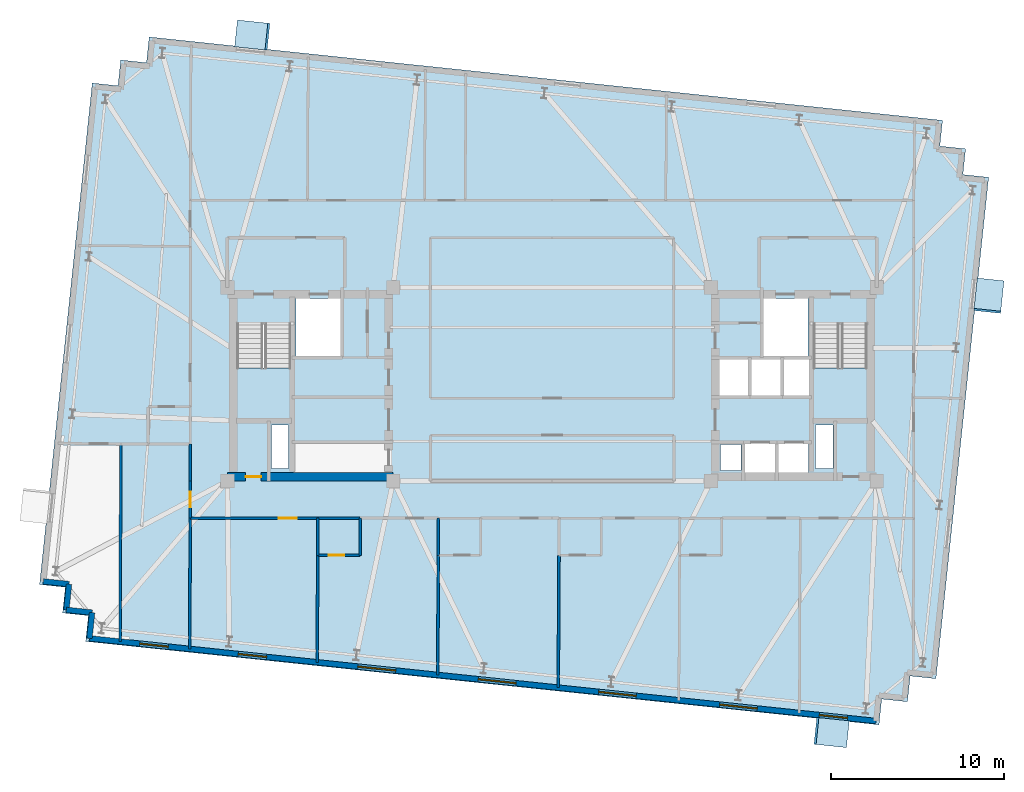
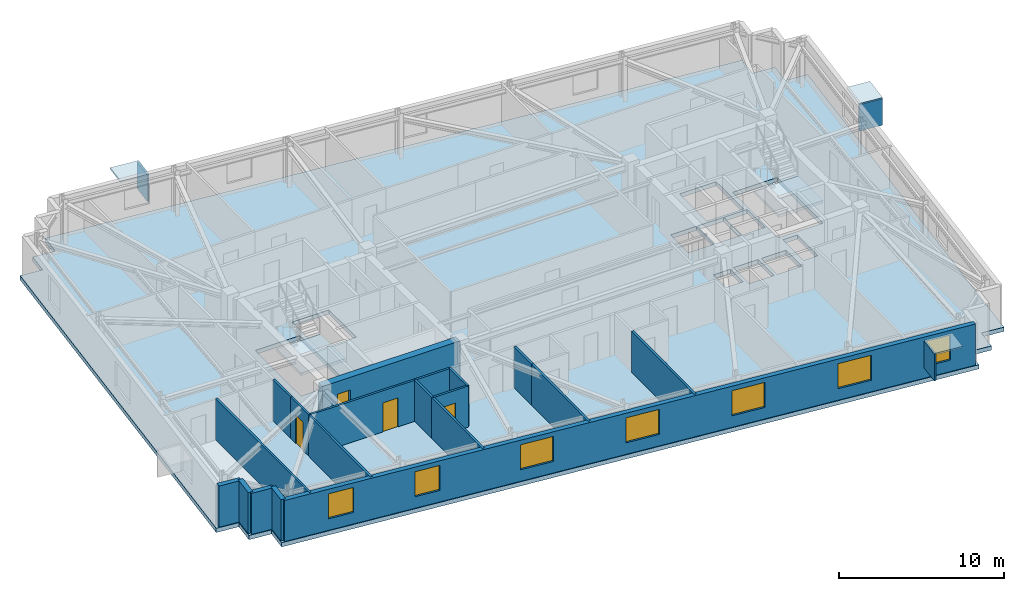
# One storey, part 5 of 11: 19 walls, 7 windows, 6 plates, 4 doors, 3 slabs, 11 openings, 2 elements without a shape of their own.
"""IFC4 building model written with IfcOpenShell, lengths in metres."""

from ifc_helpers import new_model, si_unit, direction, frame, frame_2d, origin, origin_2d, place, context, subcontext, project, spatial, polyline, rectangle, outline, extrude, material, layer, layer_set, type_object, element, fill, aggregate, save


model = new_model("IFC4")

# Units and contexts
model_context = context("Model", 3, precision=1e-05, world=origin(), true_north=direction((0.0, 1.0)))
body_context = subcontext(model_context, "Body", "Model", "MODEL_VIEW")
ifc_project = project(units=[si_unit("LENGTHUNIT", "METRE"), si_unit("AREAUNIT", "SQUARE_METRE"), si_unit("VOLUMEUNIT", "CUBIC_METRE"), si_unit("PLANEANGLEUNIT", "RADIAN"), si_unit("MASSUNIT", "GRAM", prefix="KILO")], contexts=[model_context])

# Site, building, storey
site_placement = place(None, origin())
site = spatial("IfcSite", under=ifc_project, at=site_placement, CompositionType="ELEMENT")
building_placement = place(site_placement, origin())
building = spatial("IfcBuilding", under=site, at=building_placement, Name="Qobustan Lattice House", CompositionType="ELEMENT")
storey_placement = place(building_placement, frame((0.0, 0.0, 213.14990234375)))
storey = spatial("IfcBuildingStorey", under=building, at=storey_placement, Name="L60", CompositionType="ELEMENT", Elevation=213.14990234375)

# Plates
ifc_material_1 = material(Name="Qobustan limestone GFRC", Category="masonry")
ifc_layer_1 = layer(ifc_material_1, 0.1201171875)
ifc_layer_set_1 = layer_set([ifc_layer_1], Name="Qobustan limestone GFRC")
plate_type = type_object("IfcPlateType", Name="SHD-HOOD-BROW", PredefinedType="USERDEFINED", material=ifc_layer_set_1)
plate_1_placement = place(storey_placement, frame((-17.364990234375, 20.224853515625, 2.699951171875), z_axis=(0.0, 0.0, 1.0), x_axis=(0.994521895368, -0.104528463268, 0.0)))
element("IfcPlate", 1, at=plate_1_placement, inside=storey, type_object=plate_type, Name="L60 splayed Qobustan stone hood brow", ObjectType="SUNSHADE", PredefinedType="USERDEFINED", context=body_context, shape_type="SweptSolid", body=[
    extrude(rectangle(XDim=1.889892578125, YDim=1.56005859375, at=origin_2d()), origin(), (0.0, 0.0, 1.0), 0.1201171875),
])
plate_2_placement = place(storey_placement, frame((-16.48486328125, 20.13232421875, 0.7900390625), z_axis=(0.0, 0.0, 1.0), x_axis=(0.994521895368, -0.104528463268, 0.0)))
element("IfcPlate", 2, at=plate_2_placement, inside=storey, type_object=plate_type, Name="L60 splayed Qobustan stone hood cheek", ObjectType="SUNSHADE", PredefinedType="USERDEFINED", context=body_context, shape_type="SweptSolid", body=[
    extrude(rectangle(XDim=0.1201171875, YDim=1.56005859375, at=origin_2d()), origin(), (0.0, 0.0, 1.0), 1.969970703125),
])
plate_3_placement = place(storey_placement, frame((25.29638671875, 5.134521484375, 2.699951171875), z_axis=(0.0, 0.0, 1.0), x_axis=(-0.104528463268, -0.994521895368, 0.0)))
element("IfcPlate", 3, at=plate_3_placement, inside=storey, type_object=plate_type, Name="L60 splayed Qobustan stone hood brow", ObjectType="SUNSHADE", PredefinedType="USERDEFINED", context=body_context, shape_type="SweptSolid", body=[
    extrude(rectangle(XDim=1.889892578125, YDim=1.56005859375, at=origin_2d()), origin(), (0.0, 0.0, 1.0), 0.1201171875),
])
plate_4_placement = place(storey_placement, frame((25.203857421875, 4.25439453125, 0.7900390625), z_axis=(0.0, 0.0, 1.0), x_axis=(-0.104528463268, -0.994521895368, 0.0)))
element("IfcPlate", 4, at=plate_4_placement, inside=storey, type_object=plate_type, Name="L60 splayed Qobustan stone hood cheek", ObjectType="SUNSHADE", PredefinedType="USERDEFINED", context=body_context, shape_type="SweptSolid", body=[
    extrude(rectangle(XDim=0.1201171875, YDim=1.56005859375, at=origin_2d()), origin(), (0.0, 0.0, 1.0), 1.969970703125),
])
plate_5_placement = place(storey_placement, frame((16.18994140625, -20.163818359375, 2.699951171875), z_axis=(0.0, 0.0, 1.0), x_axis=(-0.994521895368, 0.104528463268, 0.0)))
element("IfcPlate", 5, at=plate_5_placement, inside=storey, type_object=plate_type, Name="L60 splayed Qobustan stone hood brow", ObjectType="SUNSHADE", PredefinedType="USERDEFINED", context=body_context, shape_type="SweptSolid", body=[
    extrude(rectangle(XDim=1.889892578125, YDim=1.56005859375, at=origin_2d()), origin(), (0.0, 0.0, 1.0), 0.1201171875),
])
plate_6_placement = place(storey_placement, frame((15.309814453125, -20.0712890625, 0.7900390625), z_axis=(0.0, 0.0, 1.0), x_axis=(-0.994521895368, 0.104528463268, 0.0)))
element("IfcPlate", 6, at=plate_6_placement, inside=storey, type_object=plate_type, Name="L60 splayed Qobustan stone hood cheek", ObjectType="SUNSHADE", PredefinedType="USERDEFINED", context=body_context, shape_type="SweptSolid", body=[
    extrude(rectangle(XDim=0.1201171875, YDim=1.56005859375, at=origin_2d()), origin(), (0.0, 0.0, 1.0), 1.969970703125),
])

# Slab
ifc_material_2 = material(Name="Concrete C40/50", Category="concrete")
ifc_layer_2 = layer(ifc_material_2, 0.31005859375)
ifc_layer_set_2 = layer_set([ifc_layer_2], Name="Concrete C40/50")
slab_type_1 = type_object("IfcSlabType", Name="SLB-FLR-310", PredefinedType="FLOOR", material=ifc_layer_set_2)
slab_1_placement = place(storey_placement, frame((0.0, 0.0, -0.309814453125)))
element("IfcSlab", 7, at=slab_1_placement, inside=storey, type_object=slab_type_1, Name="L60 structural floor slab", PredefinedType="FLOOR", context=body_context, shape_type="SweptSolid", body=[
    extrude(outline(polyline([(-27.01318359375, -14.888916015625), (18.933837890625, -19.71826171875), (19.090576171875, -18.226318359375), (20.582275390625, -18.38330078125), (20.739013671875, -16.891357421875), (22.23095703125, -17.048095703125), (25.283203125, 11.99169921875), (23.79150390625, 12.148681640625), (23.947998046875, 13.640380859375), (22.456298828125, 13.797119140625), (22.61328125, 15.2890625), (-23.333740234375, 20.1181640625), (-23.490478515625, 18.62646484375), (-24.982421875, 18.783203125), (-25.13916015625, 17.29150390625), (-26.630859375, 17.4482421875), (-29.68310546875, -11.591796875), (-28.19140625, -11.74853515625), (-28.34814453125, -13.240478515625), (-26.8564453125, -13.397216796875), (-27.01318359375, -14.888916015625)]), holes=[polyline([(-18.25, -2.050048828125), (-18.25, 3.489990234375), (-15.1298828125, 3.489990234375), (-15.1298828125, -2.050048828125), (-18.25, -2.050048828125)]), polyline([(15.1298828125, -2.050048828125), (15.1298828125, 3.489990234375), (18.25, 3.489990234375), (18.25, -2.050048828125), (15.1298828125, -2.050048828125)]), polyline([(-14.820068359375, 1.64990234375), (-14.820068359375, 4.9599609375), (-12.25, 4.9599609375), (-12.25, 1.64990234375), (-14.820068359375, 1.64990234375)]), polyline([(12.25, 1.64990234375), (12.25, 4.9599609375), (14.820068359375, 4.9599609375), (14.820068359375, 1.64990234375), (12.25, 1.64990234375)]), polyline([(-16.260009765625, -4.8798828125), (-16.260009765625, -2.360107421875), (-15.260009765625, -2.360107421875), (-15.260009765625, -4.8798828125), (-16.260009765625, -4.8798828125)]), polyline([(15.260009765625, -4.8798828125), (15.260009765625, -2.360107421875), (16.260009765625, -2.360107421875), (16.260009765625, -4.8798828125), (15.260009765625, -4.8798828125)]), polyline([(11.179931640625, -5.35009765625), (11.179931640625, -3.419921875), (12.919921875, -3.419921875), (12.919921875, -5.35009765625), (11.179931640625, -5.35009765625)]), polyline([(13.1201171875, -5.35009765625), (13.1201171875, -3.419921875), (14.85009765625, -3.419921875), (14.85009765625, -5.35009765625), (13.1201171875, -5.35009765625)]), polyline([(9.760009765625, -5.0), (9.760009765625, -3.47998046875), (10.93994140625, -3.47998046875), (10.93994140625, -5.0), (9.760009765625, -5.0)]), polyline([(13.360107421875, -0.679931640625), (13.360107421875, 1.47998046875), (14.97998046875, 1.47998046875), (14.97998046875, -0.679931640625), (13.360107421875, -0.679931640625)]), polyline([(9.6201171875, -0.679931640625), (9.6201171875, 1.47998046875), (11.43994140625, 1.47998046875), (11.43994140625, -0.679931640625), (9.6201171875, -0.679931640625)]), polyline([(11.5, -0.679931640625), (11.5, 1.47998046875), (13.320068359375, 1.47998046875), (13.320068359375, -0.679931640625), (11.5, -0.679931640625)])]), origin(), (0.0, 0.0, 1.0), 0.309814453125),
])

# Stair, slab
ifc_material_3 = material(Name="Concrete C40/50", Category="concrete")
stair_type = type_object("IfcStairType", Name="STR-CORE-DOGLEG", PredefinedType="HALF_TURN_STAIR", material=ifc_material_3)
stair_1_placement = place(storey_placement, origin())
stair_1 = element("IfcStair", 8, at=stair_1_placement, inside=storey, type_object=stair_type, Name="L60 West protected exit stair ST-W1", PredefinedType="HALF_TURN_STAIR")
ifc_material_4 = material(Name="Concrete C40/50", Category="concrete")
ifc_layer_3 = layer(ifc_material_4, 0.199951171875)
ifc_layer_set_3 = layer_set([ifc_layer_3], Name="Concrete C40/50")
slab_type_2 = type_object("IfcSlabType", Name="SLB-LANDING-200", PredefinedType="LANDING", material=ifc_layer_set_3)
slab_2_placement = place(storey_placement, frame((0.0, 0.0, 1.47509765625)))
slab_2 = element("IfcSlab", 9, at=slab_2_placement, type_object=slab_type_2, Name="ST-W1 landing 1", PredefinedType="LANDING", context=body_context, shape_type="SweptSolid", body=[
    extrude(outline(polyline([(-18.25, 0.93505859375), (-18.25, -2.050048828125), (-15.1298828125, -2.050048828125), (-15.1298828125, 0.93505859375), (-18.25, 0.93505859375)])), origin(), (0.0, 0.0, 1.0), 0.199951171875),
])
aggregate(stair_1, [slab_2])

stair_2_placement = place(storey_placement, origin())
stair_2 = element("IfcStair", 10, at=stair_2_placement, inside=storey, type_object=stair_type, Name="L60 East protected exit stair ST-E1", PredefinedType="HALF_TURN_STAIR")
slab_3_placement = place(storey_placement, frame((0.0, 0.0, 1.47509765625)))
slab_3 = element("IfcSlab", 11, at=slab_3_placement, type_object=slab_type_2, Name="ST-E1 landing 1", PredefinedType="LANDING", context=body_context, shape_type="SweptSolid", body=[
    extrude(outline(polyline([(15.1298828125, 0.93505859375), (15.1298828125, -2.050048828125), (18.25, -2.050048828125), (18.25, 0.93505859375), (15.1298828125, 0.93505859375)])), origin(), (0.0, 0.0, 1.0), 0.199951171875),
])
aggregate(stair_2, [slab_3])

# Wall, opening, door
ifc_material_5 = material(Name="Concrete C50/60", Category="concrete")
ifc_layer_4 = layer(ifc_material_5, 0.5)
ifc_layer_set_4 = layer_set([ifc_layer_4], Name="Concrete C50/60")
wall_type_1 = type_object("IfcWallType", Name="WAL-CORE-500", PredefinedType="SHEAR", material=ifc_layer_set_4)
wall_1_placement = place(storey_placement, frame((-18.800048828125, -5.35009765625, 0.0), z_axis=(0.0, 0.0, 1.0), x_axis=(1.0, 0.0, 0.0)))
wall_1 = element("IfcWall", 12, at=wall_1_placement, inside=storey, type_object=wall_type_1, Name="L60 split-core shear wall CW-S", PredefinedType="SHEAR", context=body_context, shape_type="SweptSolid", body=[
    extrude(rectangle(XDim=9.60009765625, YDim=0.5, at=frame_2d((4.800048828125, 0.0))), origin(), (0.0, 0.0, 1.0), 3.0400390625),
])
opening_1_placement = place(wall_1_placement, frame((1.050048828125, 0.0, 0.0)))
opening_1 = element("IfcOpeningElement", 13, at=opening_1_placement, cuts=wall_1, Name="Opening RD-01", PredefinedType="OPENING", context=body_context, shape_type="SweptSolid", body=[
    extrude(rectangle(XDim=0.89990234375, YDim=2.10009765625, at=frame_2d((0.449951171875, 1.050048828125))), frame((0.0, 0.260009765625, 0.0), z_axis=(0.0, -1.0, 0.0), x_axis=(1.0, 0.0, 0.0)), (0.0, 0.0, 1.0), 0.52001953125),
])
ifc_material_6 = material(Name="Persian walnut timber and steel frame door", Category="steel")
door_type_1 = type_object("IfcDoorType", Name="DOR-RISER-FD-900x2100", OperationType="NOTDEFINED", PredefinedType="DOOR", material=ifc_material_6)
door_1_placement = place(opening_1_placement, origin())
door_1 = element("IfcDoor", 14, at=door_1_placement, inside=storey, type_object=door_type_1, Name="L60 core service riser access door W", OperationType="SINGLE_SWING_RIGHT", OverallHeight=2.10009765625, OverallWidth=0.89990234375, PredefinedType="DOOR", context=body_context, shape_type="SweptSolid", body=[
    extrude(rectangle(XDim=0.89990234375, YDim=2.10009765625, at=frame_2d((0.449951171875, 1.050048828125))), frame((0.0, 0.02490234375, 0.0), z_axis=(0.0, -1.0, 0.0), x_axis=(1.0, 0.0, 0.0)), (0.0, 0.0, 1.0), 0.050048828125),
])
fill(opening_1, door_1)

# Walls
ifc_material_7 = material(Name="Precast concrete C40/50", Category="concrete")
ifc_layer_5 = layer(ifc_material_7, 0.320068359375)
ifc_layer_set_5 = layer_set([ifc_layer_5], Name="Precast concrete C40/50")
wall_type_2 = type_object("IfcWallType", Name="WAL-EXT-STONE-320", PredefinedType="SOLIDWALL", material=ifc_layer_set_5)
for number, where, z_axis, x_axis, name in (
    (15, (-26.79345703125, -14.7109375, 0.0), (0.0, 0.0, 1.0), (0.104498377516, 0.994525057048, 0.0), "L60 exterior limestone-clad wall 1"),
    (16, (-26.63671875, -13.21923828125, 0.0), (0.0, 0.0, 1.0), (-0.994525057048, 0.104498377516, 0.0), "L60 exterior limestone-clad wall 2"),
):
    element("IfcWall", number, at=place(storey_placement, frame(where, z_axis=z_axis, x_axis=x_axis)), inside=storey, type_object=wall_type_2, Name=name, PredefinedType="SOLIDWALL", context=body_context, shape_type="SweptSolid", body=[
        extrude(rectangle(XDim=1.5, YDim=0.320068359375, at=frame_2d((0.75, 0.0))), origin(), (0.0, 0.0, 1.0), 3.0400390625),
    ])
wall_2_placement = place(storey_placement, frame((-28.12841796875, -13.0625, 0.0), z_axis=(0.0, 0.0, 1.0), x_axis=(0.104481464157, 0.994526834051, 0.0)))
element("IfcWall", 17, at=wall_2_placement, inside=storey, type_object=wall_type_2, Name="L60 exterior limestone-clad wall 3", PredefinedType="SOLIDWALL", context=body_context, shape_type="SweptSolid", body=[
    extrude(rectangle(XDim=1.500244140625, YDim=0.320068359375, at=frame_2d((0.75, 0.0))), origin(), (0.0, 0.0, 1.0), 3.0400390625),
])
wall_3_placement = place(storey_placement, frame((-27.9716796875, -11.570556640625, 0.0), z_axis=(0.0, 0.0, 1.0), x_axis=(-0.994525057048, 0.104498377516, 0.0)))
element("IfcWall", 18, at=wall_3_placement, inside=storey, type_object=wall_type_2, Name="L60 exterior limestone-clad wall 4", PredefinedType="SOLIDWALL", context=body_context, shape_type="SweptSolid", body=[
    extrude(rectangle(XDim=1.5, YDim=0.320068359375, at=frame_2d((0.75, 0.0))), origin(), (0.0, 0.0, 1.0), 3.0400390625),
])

# Wall, openings, windows
wall_4_placement = place(storey_placement, frame((18.755859375, -19.498291015625, 0.0), z_axis=(0.0, 0.0, 1.0), x_axis=(-0.994522060044, 0.104526896475, 0.0)))
wall_4 = element("IfcWall", 19, at=wall_4_placement, inside=storey, type_object=wall_type_2, Name="L60 exterior limestone-clad wall 20", PredefinedType="SOLIDWALL", context=body_context, shape_type="SweptSolid", body=[
    extrude(rectangle(XDim=45.80029296875, YDim=0.320068359375, at=frame_2d((22.900146484375, 0.0))), origin(), (0.0, 0.0, 1.0), 3.0400390625),
])
opening_2_placement = place(wall_4_placement, frame((1.6572265625, 0.0, 0.85009765625)))
opening_2 = element("IfcOpeningElement", 20, at=opening_2_placement, cuts=wall_4, Name="Opening WN-09", PredefinedType="OPENING", context=body_context, shape_type="SweptSolid", body=[
    extrude(rectangle(XDim=1.64990234375, YDim=1.85009765625, at=frame_2d((0.824951171875, 0.925048828125))), frame((0.0, 0.169921875, 0.0), z_axis=(0.0, -1.0, 0.0), x_axis=(1.0, 0.0, 0.0)), (0.0, 0.0, 1.0), 0.340087890625),
])
opening_3_placement = place(wall_4_placement, frame((6.906982421875, 0.0, 0.85009765625)))
opening_3 = element("IfcOpeningElement", 21, at=opening_3_placement, cuts=wall_4, Name="Opening WN-03", PredefinedType="OPENING", context=body_context, shape_type="SweptSolid", body=[
    extrude(rectangle(XDim=2.199951171875, YDim=1.85009765625, at=frame_2d((1.10009765625, 0.925048828125))), frame((0.0, 0.169921875, 0.0), z_axis=(0.0, -1.0, 0.0), x_axis=(1.0, 0.0, 0.0)), (0.0, 0.0, 1.0), 0.340087890625),
])
opening_4_placement = place(wall_4_placement, frame((13.953125, 0.0, 0.85009765625)))
opening_4 = element("IfcOpeningElement", 22, at=opening_4_placement, cuts=wall_4, Name="Opening WN-03", PredefinedType="OPENING", context=body_context, shape_type="SweptSolid", body=[
    extrude(rectangle(XDim=2.199951171875, YDim=1.85009765625, at=frame_2d((1.10009765625, 0.925048828125))), frame((0.0, 0.169921875, 0.0), z_axis=(0.0, -1.0, 0.0), x_axis=(1.0, 0.0, 0.0)), (0.0, 0.0, 1.0), 0.340087890625),
])
opening_5_placement = place(wall_4_placement, frame((20.959228515625, 0.0, 0.85009765625)))
opening_5 = element("IfcOpeningElement", 23, at=opening_5_placement, cuts=wall_4, Name="Opening WN-03", PredefinedType="OPENING", context=body_context, shape_type="SweptSolid", body=[
    extrude(rectangle(XDim=2.199951171875, YDim=1.85009765625, at=frame_2d((1.10009765625, 0.925048828125))), frame((0.0, 0.169921875, 0.0), z_axis=(0.0, -1.0, 0.0), x_axis=(1.0, 0.0, 0.0)), (0.0, 0.0, 1.0), 0.340087890625),
])
opening_6_placement = place(wall_4_placement, frame((27.96533203125, 0.0, 0.85009765625)))
opening_6 = element("IfcOpeningElement", 24, at=opening_6_placement, cuts=wall_4, Name="Opening WN-03", PredefinedType="OPENING", context=body_context, shape_type="SweptSolid", body=[
    extrude(rectangle(XDim=2.199951171875, YDim=1.85009765625, at=frame_2d((1.10009765625, 0.925048828125))), frame((0.0, 0.169921875, 0.0), z_axis=(0.0, -1.0, 0.0), x_axis=(1.0, 0.0, 0.0)), (0.0, 0.0, 1.0), 0.340087890625),
])
opening_7_placement = place(wall_4_placement, frame((35.48681640625, 0.0, 0.85009765625)))
opening_7 = element("IfcOpeningElement", 25, at=opening_7_placement, cuts=wall_4, Name="Opening WN-09", PredefinedType="OPENING", context=body_context, shape_type="SweptSolid", body=[
    extrude(rectangle(XDim=1.64990234375, YDim=1.85009765625, at=frame_2d((0.824951171875, 0.925048828125))), frame((0.0, 0.169921875, 0.0), z_axis=(0.0, -1.0, 0.0), x_axis=(1.0, 0.0, 0.0)), (0.0, 0.0, 1.0), 0.340087890625),
])
opening_8_placement = place(wall_4_placement, frame((41.2119140625, 0.0, 0.85009765625)))
opening_8 = element("IfcOpeningElement", 26, at=opening_8_placement, cuts=wall_4, Name="Opening WN-09", PredefinedType="OPENING", context=body_context, shape_type="SweptSolid", body=[
    extrude(rectangle(XDim=1.64990234375, YDim=1.85009765625, at=frame_2d((0.824951171875, 0.925048828125))), frame((0.0, 0.169921875, 0.0), z_axis=(0.0, -1.0, 0.0), x_axis=(1.0, 0.0, 0.0)), (0.0, 0.0, 1.0), 0.340087890625),
])
ifc_material_8 = material(Name="Double-glazed low-E aluminium window", Category="aluminium")
window_type_1 = type_object("IfcWindowType", Name="WIN-STU-1650x1850", PartitioningType="SINGLE_PANEL", PredefinedType="WINDOW", material=ifc_material_8)
window_1_placement = place(opening_2_placement, origin())
window_1 = element("IfcWindow", 27, at=window_1_placement, inside=storey, type_object=window_type_1, Name="L60 Group study room window", OverallHeight=1.85009765625, OverallWidth=1.64990234375, PartitioningType="SINGLE_PANEL", PredefinedType="WINDOW", context=body_context, shape_type="SweptSolid", body=[
    extrude(rectangle(XDim=1.64990234375, YDim=1.85009765625, at=frame_2d((0.824951171875, 0.925048828125))), frame((0.0, 0.030029296875, 0.0), z_axis=(0.0, -1.0, 0.0), x_axis=(1.0, 0.0, 0.0)), (0.0, 0.0, 1.0), 0.06005859375),
])
fill(opening_2, window_1)
window_2_placement = place(opening_7_placement, origin())
window_2 = element("IfcWindow", 28, at=window_2_placement, inside=storey, type_object=window_type_1, Name="L60 Focus study room S1 window", OverallHeight=1.85009765625, OverallWidth=1.64990234375, PartitioningType="SINGLE_PANEL", PredefinedType="WINDOW", context=body_context, shape_type="SweptSolid", body=[
    extrude(rectangle(XDim=1.64990234375, YDim=1.85009765625, at=frame_2d((0.824951171875, 0.925048828125))), frame((0.0, 0.030029296875, 0.0), z_axis=(0.0, -1.0, 0.0), x_axis=(1.0, 0.0, 0.0)), (0.0, 0.0, 1.0), 0.06005859375),
])
fill(opening_7, window_2)
window_3_placement = place(opening_8_placement, origin())
window_3 = element("IfcWindow", 29, at=window_3_placement, inside=storey, type_object=window_type_1, Name="L60 Focus study room W1B window", OverallHeight=1.85009765625, OverallWidth=1.64990234375, PartitioningType="SINGLE_PANEL", PredefinedType="WINDOW", context=body_context, shape_type="SweptSolid", body=[
    extrude(rectangle(XDim=1.64990234375, YDim=1.85009765625, at=frame_2d((0.824951171875, 0.925048828125))), frame((0.0, 0.030029296875, 0.0), z_axis=(0.0, -1.0, 0.0), x_axis=(1.0, 0.0, 0.0)), (0.0, 0.0, 1.0), 0.06005859375),
])
fill(opening_8, window_3)
ifc_material_9 = material(Name="Double-glazed low-E aluminium window", Category="aluminium")
window_type_2 = type_object("IfcWindowType", Name="WIN-WIDE-2200x1850", PartitioningType="SINGLE_PANEL", PredefinedType="WINDOW", material=ifc_material_9)
window_4_placement = place(opening_3_placement, origin())
window_4 = element("IfcWindow", 30, at=window_4_placement, inside=storey, type_object=window_type_2, Name="L60 Kitchenette and studio apartment L60-S5 window", OverallHeight=1.85009765625, OverallWidth=2.199951171875, PartitioningType="SINGLE_PANEL", PredefinedType="WINDOW", context=body_context, shape_type="SweptSolid", body=[
    extrude(rectangle(XDim=2.199951171875, YDim=1.85009765625, at=frame_2d((1.10009765625, 0.925048828125))), frame((0.0, 0.030029296875, 0.0), z_axis=(0.0, -1.0, 0.0), x_axis=(1.0, 0.0, 0.0)), (0.0, 0.0, 1.0), 0.06005859375),
])
fill(opening_3, window_4)
window_5_placement = place(opening_4_placement, origin())
window_5 = element("IfcWindow", 31, at=window_5_placement, inside=storey, type_object=window_type_2, Name="L60 Kitchenette and studio apartment L60-S4 window", OverallHeight=1.85009765625, OverallWidth=2.199951171875, PartitioningType="SINGLE_PANEL", PredefinedType="WINDOW", context=body_context, shape_type="SweptSolid", body=[
    extrude(rectangle(XDim=2.199951171875, YDim=1.85009765625, at=frame_2d((1.10009765625, 0.925048828125))), frame((0.0, 0.030029296875, 0.0), z_axis=(0.0, -1.0, 0.0), x_axis=(1.0, 0.0, 0.0)), (0.0, 0.0, 1.0), 0.06005859375),
])
fill(opening_4, window_5)
window_6_placement = place(opening_5_placement, origin())
window_6 = element("IfcWindow", 32, at=window_6_placement, inside=storey, type_object=window_type_2, Name="L60 Kitchenette and studio apartment L60-S3 window", OverallHeight=1.85009765625, OverallWidth=2.199951171875, PartitioningType="SINGLE_PANEL", PredefinedType="WINDOW", context=body_context, shape_type="SweptSolid", body=[
    extrude(rectangle(XDim=2.199951171875, YDim=1.85009765625, at=frame_2d((1.10009765625, 0.925048828125))), frame((0.0, 0.030029296875, 0.0), z_axis=(0.0, -1.0, 0.0), x_axis=(1.0, 0.0, 0.0)), (0.0, 0.0, 1.0), 0.06005859375),
])
fill(opening_5, window_6)
window_7_placement = place(opening_6_placement, origin())
window_7 = element("IfcWindow", 33, at=window_7_placement, inside=storey, type_object=window_type_2, Name="L60 Kitchenette and studio apartment L60-S2 window", OverallHeight=1.85009765625, OverallWidth=2.199951171875, PartitioningType="SINGLE_PANEL", PredefinedType="WINDOW", context=body_context, shape_type="SweptSolid", body=[
    extrude(rectangle(XDim=2.199951171875, YDim=1.85009765625, at=frame_2d((1.10009765625, 0.925048828125))), frame((0.0, 0.030029296875, 0.0), z_axis=(0.0, -1.0, 0.0), x_axis=(1.0, 0.0, 0.0)), (0.0, 0.0, 1.0), 0.06005859375),
])
fill(opening_6, window_7)

# Wall, opening, door
ifc_material_10 = material(Name="Acoustic twin-stud gypsum partition", Category="gypsum")
ifc_layer_6 = layer(ifc_material_10, 0.14990234375)
ifc_layer_set_6 = layer_set([ifc_layer_6], Name="Acoustic twin-stud gypsum partition")
wall_type_3 = type_object("IfcWallType", Name="WAL-PART-150", PredefinedType="PARTITIONING", material=ifc_layer_set_6)
wall_5_placement = place(storey_placement, frame((-20.949951171875, -7.75, 0.0), z_axis=(0.0, 0.0, 1.0), x_axis=(0.0, 1.0, 0.0)))
wall_5 = element("IfcWall", 34, at=wall_5_placement, inside=storey, type_object=wall_type_3, Name="L60 interior partition 44", PredefinedType="PARTITIONING", context=body_context, shape_type="SweptSolid", body=[
    extrude(rectangle(XDim=2.14990234375, YDim=0.14990234375, at=frame_2d((1.074951171875, 0.0))), origin(), (0.0, 0.0, 1.0), 3.0400390625),
])
opening_9_placement = place(wall_5_placement, frame((0.625, 0.0, 0.0)))
opening_9 = element("IfcOpeningElement", 35, at=opening_9_placement, cuts=wall_5, Name="Opening WD-01", PredefinedType="OPENING", context=body_context, shape_type="SweptSolid", body=[
    extrude(rectangle(XDim=0.89990234375, YDim=2.10009765625, at=frame_2d((0.449951171875, 1.050048828125))), frame((0.0, 0.0849609375, 0.0), z_axis=(0.0, -1.0, 0.0), x_axis=(1.0, 0.0, 0.0)), (0.0, 0.0, 1.0), 0.169921875),
])
ifc_material_11 = material(Name="Persian walnut timber and steel frame door", Category="steel")
door_type_2 = type_object("IfcDoorType", Name="DOR-WET-900x2100", OperationType="NOTDEFINED", PredefinedType="DOOR", material=ifc_material_11)
door_2_placement = place(opening_9_placement, origin())
door_2 = element("IfcDoor", 36, at=door_2_placement, inside=storey, type_object=door_type_2, Name="L60 South-west floor corridor to Focus study room W1B door", OperationType="SINGLE_SWING_RIGHT", OverallHeight=2.10009765625, OverallWidth=0.89990234375, PredefinedType="DOOR", context=body_context, shape_type="SweptSolid", body=[
    extrude(rectangle(XDim=0.89990234375, YDim=2.10009765625, at=frame_2d((0.449951171875, 1.050048828125))), frame((0.0, 0.02490234375, 0.0), z_axis=(0.0, -1.0, 0.0), x_axis=(1.0, 0.0, 0.0)), (0.0, 0.0, 1.0), 0.050048828125),
])
fill(opening_9, door_2)

wall_6_placement = place(storey_placement, frame((-13.56689453125, -7.75, 0.0), z_axis=(0.0, 0.0, 1.0), x_axis=(-1.0, 0.0, 0.0)))
wall_6 = element("IfcWall", 37, at=wall_6_placement, inside=storey, type_object=wall_type_3, Name="L60 interior partition 45", PredefinedType="PARTITIONING", context=body_context, shape_type="SweptSolid", body=[
    extrude(rectangle(XDim=7.383056640625, YDim=0.14990234375, at=frame_2d((3.69140625, 0.0))), origin(), (0.0, 0.0, 1.0), 3.0400390625),
])
opening_10_placement = place(wall_6_placement, frame((1.2265625, 0.0, 0.0)))
opening_10 = element("IfcOpeningElement", 38, at=opening_10_placement, cuts=wall_6, Name="Opening ID-02", PredefinedType="OPENING", context=body_context, shape_type="SweptSolid", body=[
    extrude(rectangle(XDim=1.050048828125, YDim=2.14990234375, at=frame_2d((0.52490234375, 1.074951171875))), frame((0.0, 0.0849609375, 0.0), z_axis=(0.0, -1.0, 0.0), x_axis=(1.0, 0.0, 0.0)), (0.0, 0.0, 1.0), 0.169921875),
])
ifc_material_12 = material(Name="Persian walnut timber and steel frame door", Category="steel")
door_type_3 = type_object("IfcDoorType", Name="DOR-STUDY-1050x2150", OperationType="NOTDEFINED", PredefinedType="DOOR", material=ifc_material_12)
door_3_placement = place(opening_10_placement, origin())
door_3 = element("IfcDoor", 39, at=door_3_placement, inside=storey, type_object=door_type_3, Name="L60 South-west floor corridor to Focus study room S1 door", OperationType="SINGLE_SWING_LEFT", OverallHeight=2.14990234375, OverallWidth=1.050048828125, PredefinedType="DOOR", context=body_context, shape_type="SweptSolid", body=[
    extrude(rectangle(XDim=1.050048828125, YDim=2.14990234375, at=frame_2d((0.52490234375, 1.074951171875))), frame((0.0, 0.02490234375, 0.0), z_axis=(0.0, -1.0, 0.0), x_axis=(1.0, 0.0, 0.0)), (0.0, 0.0, 1.0), 0.050048828125),
])
fill(opening_10, door_3)

# Walls
wall_7_placement = place(storey_placement, frame((-20.949951171875, -5.60009765625, 0.0), z_axis=(0.0, 0.0, 1.0), x_axis=(0.0, 1.0, 0.0)))
element("IfcWall", 40, at=wall_7_placement, inside=storey, type_object=wall_type_3, Name="L60 interior partition 59", PredefinedType="PARTITIONING", context=body_context, shape_type="SweptSolid", body=[
    extrude(rectangle(XDim=2.14404296875, YDim=0.14990234375, at=frame_2d((1.072021484375, 0.0))), origin(), (0.0, 0.0, 1.0), 3.0400390625),
])
wall_8_placement = place(storey_placement, frame((-24.975830078125, -3.4560546875, 0.0), z_axis=(0.0, 0.0, 1.0), x_axis=(-0.003840873, -0.99999262382, 0.0)))
element("IfcWall", 41, at=wall_8_placement, inside=storey, type_object=wall_type_3, Name="L60 interior partition 71", PredefinedType="PARTITIONING", context=body_context, shape_type="SweptSolid", body=[
    extrude(rectangle(XDim=11.44140625, YDim=0.14990234375, at=frame_2d((5.720703125, 0.0))), origin(), (0.0, 0.0, 1.0), 3.0400390625),
])
wall_9_placement = place(storey_placement, frame((-20.949951171875, -7.75, 0.0), z_axis=(0.0, 0.0, 1.0), x_axis=(-0.005804668564, -0.99998315277, 0.0)))
element("IfcWall", 42, at=wall_9_placement, inside=storey, type_object=wall_type_3, Name="L60 interior partition 75", PredefinedType="PARTITIONING", context=body_context, shape_type="SweptSolid", body=[
    extrude(rectangle(XDim=7.57080078125, YDim=0.14990234375, at=frame_2d((3.785400390625, 0.0))), origin(), (0.0, 0.0, 1.0), 3.0400390625),
])
wall_10_placement = place(storey_placement, frame((-13.56689453125, -9.89990234375, 0.0), z_axis=(0.0, 0.0, 1.0), x_axis=(-0.007091740814, -0.99997485329, 0.0)))
element("IfcWall", 43, at=wall_10_placement, inside=storey, type_object=wall_type_3, Name="L60 interior partition 87", PredefinedType="PARTITIONING", context=body_context, shape_type="SweptSolid", body=[
    extrude(rectangle(XDim=6.19677734375, YDim=0.14990234375, at=frame_2d((3.098388671875, 0.0))), origin(), (0.0, 0.0, 1.0), 3.0400390625),
])
wall_11_placement = place(storey_placement, frame((-6.5830078125, -9.89990234375, 0.0), z_axis=(0.0, 0.0, 1.0), x_axis=(-0.006340579882, -0.999979898321, 0.0)))
element("IfcWall", 44, at=wall_11_placement, inside=storey, type_object=wall_type_3, Name="L60 interior partition 91", PredefinedType="PARTITIONING", context=body_context, shape_type="SweptSolid", body=[
    extrude(rectangle(XDim=6.930908203125, YDim=0.14990234375, at=frame_2d((3.46533203125, 0.0))), origin(), (0.0, 0.0, 1.0), 3.0400390625),
])
wall_12_placement = place(storey_placement, frame((0.39990234375, -9.89990234375, 0.0), z_axis=(0.0, 0.0, 1.0), x_axis=(-0.005701633766, -0.999983745554, 0.0)))
element("IfcWall", 45, at=wall_12_placement, inside=storey, type_object=wall_type_3, Name="L60 interior partition 95", PredefinedType="PARTITIONING", context=body_context, shape_type="SweptSolid", body=[
    extrude(rectangle(XDim=7.664794921875, YDim=0.14990234375, at=frame_2d((3.83251953125, 0.0))), origin(), (0.0, 0.0, 1.0), 3.0400390625),
])
ifc_material_13 = material(Name="Moisture-resistant acoustic plumbing wall", Category="gypsum")
ifc_layer_7 = layer(ifc_material_13, 0.14990234375)
ifc_layer_set_7 = layer_set([ifc_layer_7], Name="Moisture-resistant acoustic plumbing wall")
wall_type_4 = type_object("IfcWallType", Name="WAL-WET-150", PredefinedType="PLUMBINGWALL", material=ifc_layer_set_7)
wall_13_placement = place(storey_placement, frame((-11.116943359375, -7.75, 0.0), z_axis=(0.0, 0.0, 1.0), x_axis=(-1.0, 0.0, 0.0)))
element("IfcWall", 46, at=wall_13_placement, inside=storey, type_object=wall_type_4, Name="L60 interior partition 47", PredefinedType="PLUMBINGWALL", context=body_context, shape_type="SweptSolid", body=[
    extrude(rectangle(XDim=2.449951171875, YDim=0.14990234375, at=frame_2d((1.22509765625, 0.0))), origin(), (0.0, 0.0, 1.0), 3.0400390625),
])
wall_14_placement = place(storey_placement, frame((-13.56689453125, -7.75, 0.0), z_axis=(0.0, 0.0, 1.0), x_axis=(0.0, -1.0, 0.0)))
element("IfcWall", 47, at=wall_14_placement, inside=storey, type_object=wall_type_4, Name="L60 interior partition 88", PredefinedType="PLUMBINGWALL", context=body_context, shape_type="SweptSolid", body=[
    extrude(rectangle(XDim=2.14990234375, YDim=0.14990234375, at=frame_2d((1.074951171875, 0.0))), origin(), (0.0, 0.0, 1.0), 3.0400390625),
])

# Wall, opening, door
wall_15_placement = place(storey_placement, frame((-13.56689453125, -9.89990234375, 0.0), z_axis=(0.0, 0.0, 1.0), x_axis=(1.0, 0.0, 0.0)))
wall_15 = element("IfcWall", 48, at=wall_15_placement, inside=storey, type_object=wall_type_4, Name="L60 interior partition 89", PredefinedType="PLUMBINGWALL", context=body_context, shape_type="SweptSolid", body=[
    extrude(rectangle(XDim=2.449951171875, YDim=0.14990234375, at=frame_2d((1.22509765625, 0.0))), origin(), (0.0, 0.0, 1.0), 3.0400390625),
])
opening_11_placement = place(wall_15_placement, frame((0.628662109375, 0.0, 0.0)))
opening_11 = element("IfcOpeningElement", 49, at=opening_11_placement, cuts=wall_15, Name="Opening WD-01", PredefinedType="OPENING", context=body_context, shape_type="SweptSolid", body=[
    extrude(rectangle(XDim=0.89990234375, YDim=2.10009765625, at=frame_2d((0.449951171875, 1.050048828125))), frame((0.0, 0.0849609375, 0.0), z_axis=(0.0, -1.0, 0.0), x_axis=(1.0, 0.0, 0.0)), (0.0, 0.0, 1.0), 0.169921875),
])
door_4_placement = place(opening_11_placement, origin())
door_4 = element("IfcDoor", 50, at=door_4_placement, inside=storey, type_object=door_type_2, Name="L60 Kitchenette and studio apartment L60-S2 to En-suite bathroom L60-S2 door", OperationType="SINGLE_SWING_RIGHT", OverallHeight=2.10009765625, OverallWidth=0.89990234375, PredefinedType="DOOR", context=body_context, shape_type="SweptSolid", body=[
    extrude(rectangle(XDim=0.89990234375, YDim=2.10009765625, at=frame_2d((0.449951171875, 1.050048828125))), frame((0.0, 0.02490234375, 0.0), z_axis=(0.0, -1.0, 0.0), x_axis=(1.0, 0.0, 0.0)), (0.0, 0.0, 1.0), 0.050048828125),
])
fill(opening_11, door_4)

# Walls
for number, where, z_axis, x_axis, name in (
    (51, (-11.116943359375, -9.89990234375, 0.0), (0.0, 0.0, 1.0), (0.0, 1.0, 0.0), "L60 interior partition 90"),
    (52, (-6.5830078125, -7.75, 0.0), (0.0, 0.0, 1.0), (0.0, -1.0, 0.0), "L60 interior partition 92"),
):
    element("IfcWall", number, at=place(storey_placement, frame(where, z_axis=z_axis, x_axis=x_axis)), inside=storey, type_object=wall_type_4, Name=name, PredefinedType="PLUMBINGWALL", context=body_context, shape_type="SweptSolid", body=[
        extrude(rectangle(XDim=2.14990234375, YDim=0.14990234375, at=frame_2d((1.074951171875, 0.0))), origin(), (0.0, 0.0, 1.0), 3.0400390625),
    ])

save(model, "model.ifc")
